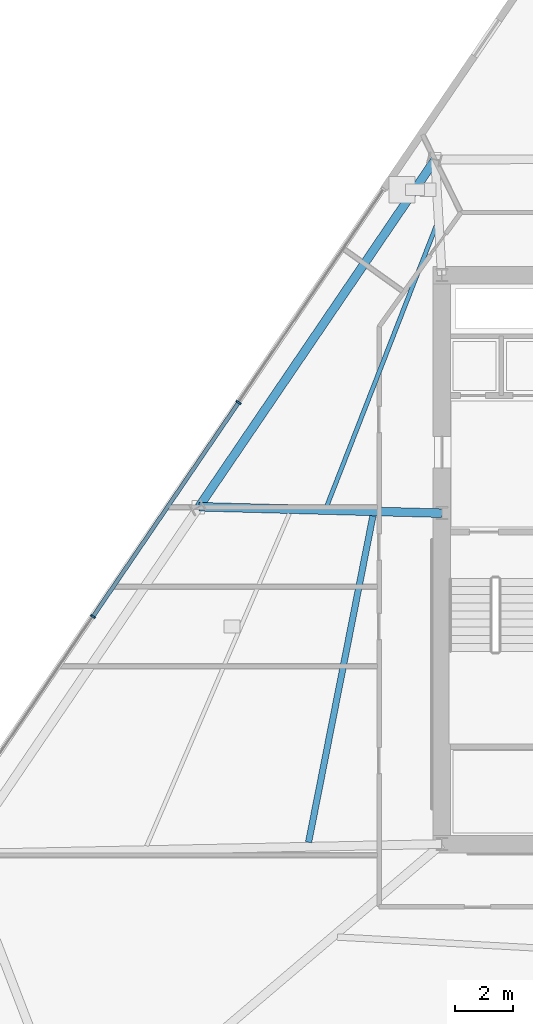
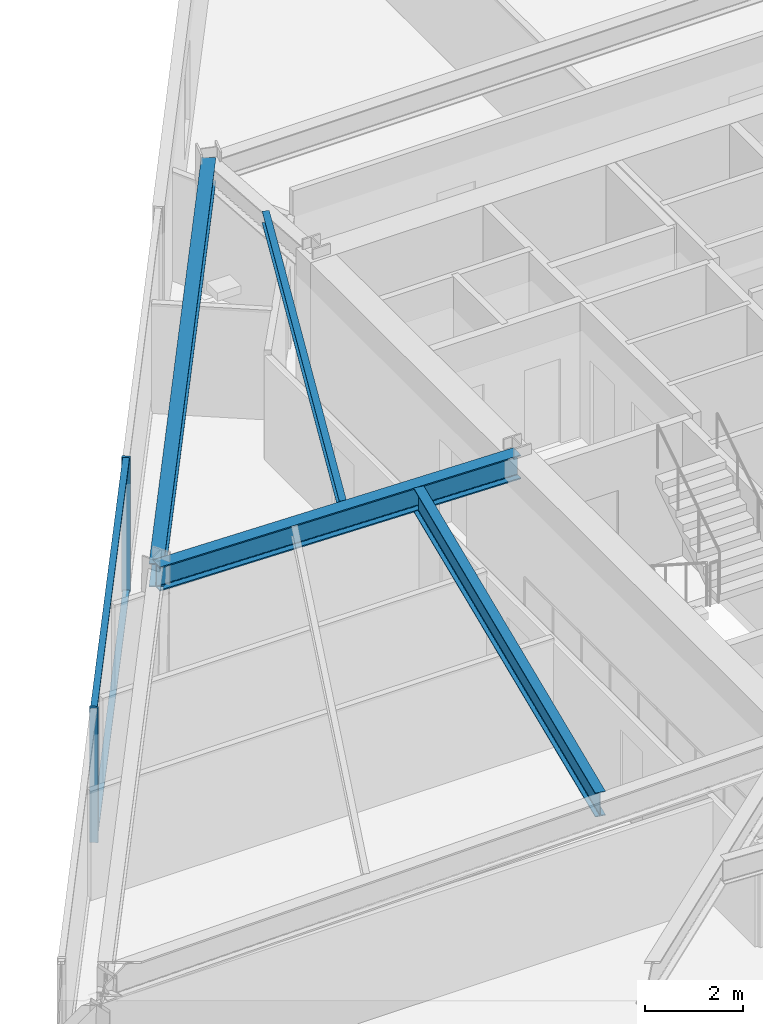
# One storey, part 4 of 16: 4 beams, 4 members, 1 element without a shape of its own.
"""IFC4 building model written with IfcOpenShell, lengths in metres."""

from ifc_helpers import new_model, si_unit, direction, frame, origin, origin_2d, place, context, subcontext, project, spatial, rectangle, i_section, extrude, material, material_profile, profile_set, type_object, element, aggregate, save


model = new_model("IFC4")

# Units and contexts
model_context = context("Model", 3, precision=1e-05, world=origin(), true_north=direction((0.0, 1.0)))
body_context = subcontext(model_context, "Body", "Model", "MODEL_VIEW")
ifc_project = project(units=[si_unit("LENGTHUNIT", "METRE"), si_unit("AREAUNIT", "SQUARE_METRE"), si_unit("VOLUMEUNIT", "CUBIC_METRE"), si_unit("PLANEANGLEUNIT", "RADIAN"), si_unit("MASSUNIT", "GRAM", prefix="KILO")], contexts=[model_context])

# Site, building, storey
site_placement = place(None, origin())
site = spatial("IfcSite", under=ifc_project, at=site_placement, CompositionType="ELEMENT")
building_placement = place(site_placement, origin())
building = spatial("IfcBuilding", under=site, at=building_placement, Name="Savorim Split Tower", CompositionType="ELEMENT")
storey_placement = place(building_placement, frame((0.0, 0.0, 30.0)))
storey = spatial("IfcBuildingStorey", under=building, at=storey_placement, Name="L07", CompositionType="ELEMENT", Elevation=30.0)

# Beams
ifc_material_1 = material(Name="Steel S355", Category="steel")
ifc_material_profile_1 = material_profile(ifc_material_1, i_section(OverallWidth=0.14990234375, OverallDepth=0.300048828125, WebThickness=0.007080078125, FlangeThickness=0.0107421875, FilletRadius=0.014892578125, at=origin_2d()), Name="IPE 300")
ifc_profile_set_1 = profile_set([ifc_material_profile_1], Name="Steel S355")
beam_type_1 = type_object("IfcBeamType", Name="BM-JST-IPE300", PredefinedType="JOIST", material=ifc_profile_set_1)
beam_1_placement = place(storey_placement, frame((-7.868408203125, 11.962890625, 3.199951171875), z_axis=(-0.363634226485, -0.931541812979, 0.0), x_axis=(0.931541812979, -0.363634226485, 0.0)))
element("IfcBeam", 1, at=beam_1_placement, inside=storey, type_object=beam_type_1, Name="L07 Secondary Floor Joist JS-09", PredefinedType="JOIST", context=body_context, shape_type="SweptSolid", body=[
    extrude(i_section(OverallWidth=0.14990234375, OverallDepth=0.300048828125, WebThickness=0.007080078125, FlangeThickness=0.0107421875, FilletRadius=0.014892578125, at=origin_2d()), origin(), (0.0, 0.0, 1.0), 10.420654296875),
])
ifc_material_profile_2 = material_profile(ifc_material_1, i_section(OverallWidth=0.219970703125, OverallDepth=0.60009765625, WebThickness=0.011962890625, FlangeThickness=0.01904296875, FilletRadius=0.02392578125, at=origin_2d()), Name="IPE 600")
ifc_profile_set_2 = profile_set([ifc_material_profile_2], Name="Steel S355")
beam_type_2 = type_object("IfcBeamType", Name="BM-JST-IPE600", PredefinedType="JOIST", material=ifc_profile_set_2)
beam_2_placement = place(storey_placement, frame((-10.073486328125, 1.9052734375, 3.050048828125), z_axis=(-0.193423653245, -0.981115329798, 0.0), x_axis=(0.981115329798, -0.193423653245, 0.0)))
element("IfcBeam", 2, at=beam_2_placement, inside=storey, type_object=beam_type_2, Name="L07 Secondary Floor Joist JS-11", PredefinedType="JOIST", context=body_context, shape_type="SweptSolid", body=[
    extrude(i_section(OverallWidth=0.219970703125, OverallDepth=0.60009765625, WebThickness=0.011962890625, FlangeThickness=0.01904296875, FilletRadius=0.02392578125, at=origin_2d()), origin(), (0.0, 0.0, 1.0), 11.45947265625),
])
ifc_material_profile_3 = material_profile(ifc_material_1, i_section(OverallWidth=0.300048828125, OverallDepth=0.60009765625, WebThickness=0.015380859375, FlangeThickness=0.030029296875, FilletRadius=0.027099609375, at=origin_2d()), Name="HEB 600")
ifc_profile_set_3 = profile_set([ifc_material_profile_3], Name="Steel S355")
beam_type_3 = type_object("IfcBeamType", Name="BM-PRI-HEB600", PredefinedType="BEAM", material=ifc_profile_set_3)
beam_3_placement = place(storey_placement, frame((-16.06640625, 2.22216796875, 3.050048828125), z_axis=(0.999647612643, -0.02654525453, 0.0), x_axis=(0.02654525453, 0.999647612643, 0.0)))
element("IfcBeam", 3, at=beam_3_placement, inside=storey, type_object=beam_type_3, Name="L07 Primary Floor Girder RG-09", PredefinedType="BEAM", context=body_context, shape_type="SweptSolid", body=[
    extrude(i_section(OverallWidth=0.300048828125, OverallDepth=0.60009765625, WebThickness=0.015380859375, FlangeThickness=0.030029296875, FilletRadius=0.027099609375, at=origin_2d()), origin(), (0.0, 0.0, 1.0), 8.369384765625),
])
ifc_material_profile_4 = material_profile(ifc_material_1, i_section(OverallWidth=0.300048828125, OverallDepth=0.590087890625, WebThickness=0.012939453125, FlangeThickness=0.02490234375, FilletRadius=0.027099609375, at=origin_2d()), Name="HEA 600")
ifc_profile_set_4 = profile_set([ifc_material_profile_4], Name="Steel S355")
beam_type_4 = type_object("IfcBeamType", Name="BM-SPN-HEA600", PredefinedType="SPANDREL", material=ifc_profile_set_4)
beam_4_placement = place(storey_placement, frame((-7.92919921875, 14.183349609375, 3.054931640625), z_axis=(-0.562480339897, -0.826810659843, 0.0), x_axis=(0.826810659843, -0.562480339897, 0.0)))
element("IfcBeam", 4, at=beam_4_placement, inside=storey, type_object=beam_type_4, Name="L07 Perimeter Spandrel Beam 8", PredefinedType="SPANDREL", context=body_context, shape_type="SweptSolid", body=[
    extrude(i_section(OverallWidth=0.300048828125, OverallDepth=0.590087890625, WebThickness=0.012939453125, FlangeThickness=0.02490234375, FilletRadius=0.027099609375, at=origin_2d()), origin(), (0.0, 0.0, 1.0), 14.466552734375),
])

# Curtain wall, members
ifc_material_2 = material(Name="Dark Ceramic-Fritted Insulated Glass", Category="glass")
curtain_wall_type = type_object("IfcCurtainWallType", Name="CW-TWR-FRIT-A", PredefinedType="NOTDEFINED", material=ifc_material_2)
curtain_wall_placement = place(storey_placement, origin())
curtain_wall = element("IfcCurtainWall", 5, at=curtain_wall_placement, inside=storey, type_object=curtain_wall_type, Name="L07 Curtain Wall CW-L07-WEST", PredefinedType="NOTDEFINED")
ifc_material_3 = material(Name="Charcoal Anodised Aluminium", Category="aluminium")
ifc_material_profile_5 = material_profile(ifc_material_3, rectangle(XDim=0.179931640625, YDim=0.06494140625, at=origin_2d()), Name="ALU-M 180x65")
ifc_profile_set_5 = profile_set([ifc_material_profile_5], Name="Charcoal Anodised Aluminium")
member_type_1 = type_object("IfcMemberType", Name="CWM-180x65", PredefinedType="MULLION", material=ifc_profile_set_5)
member_1_placement = place(storey_placement, frame((-14.700927734375, 5.81591796875, 0.0), z_axis=(0.0, 0.0, 1.0), x_axis=(0.826820923165, -0.562465253164, 0.0)))
member_1 = element("IfcMember", 6, at=member_1_placement, type_object=member_type_1, Name="CW-02 mullion 2", PredefinedType="MULLION", context=body_context, shape_type="SweptSolid", body=[
    extrude(rectangle(XDim=0.179931640625, YDim=0.06494140625, at=origin_2d()), origin(), (0.0, 0.0, 1.0), 3.35009765625),
])
member_2_placement = place(storey_placement, frame((-19.718017578125, -1.55908203125, 0.0), z_axis=(0.0, 0.0, 1.0), x_axis=(0.826820923165, -0.562465253164, 0.0)))
member_2 = element("IfcMember", 7, at=member_2_placement, type_object=member_type_1, Name="CW-02 mullion 3", PredefinedType="MULLION", context=body_context, shape_type="SweptSolid", body=[
    extrude(rectangle(XDim=0.179931640625, YDim=0.06494140625, at=origin_2d()), origin(), (0.0, 0.0, 1.0), 3.35009765625),
])
ifc_material_profile_6 = material_profile(ifc_material_3, rectangle(XDim=0.139892578125, YDim=0.054931640625, at=origin_2d()), Name="ALU-T 140x55")
ifc_profile_set_6 = profile_set([ifc_material_profile_6], Name="Charcoal Anodised Aluminium")
member_type_2 = type_object("IfcMemberType", Name="CWT-140x55", PredefinedType="USERDEFINED", material=ifc_profile_set_6)
member_3_placement = place(storey_placement, frame((-14.71923828125, 5.7890625, 0.027587890625), z_axis=(-0.562463858464, -0.826821871942, 0.0), x_axis=(0.826821871942, -0.562463858464, 0.0)))
member_3 = element("IfcMember", 8, at=member_3_placement, type_object=member_type_2, Name="CW-02 transom 2.1", ObjectType="TRANSOM", PredefinedType="USERDEFINED", context=body_context, shape_type="SweptSolid", body=[
    extrude(rectangle(XDim=0.139892578125, YDim=0.054931640625, at=origin_2d()), origin(), (0.0, 0.0, 1.0), 8.854736328125),
])
member_4_placement = place(storey_placement, frame((-14.71923828125, 5.7890625, 3.322509765625), z_axis=(-0.562463858464, -0.826821871942, 0.0), x_axis=(0.826821871942, -0.562463858464, 0.0)))
member_4 = element("IfcMember", 9, at=member_4_placement, type_object=member_type_2, Name="CW-02 transom 2.2", ObjectType="TRANSOM", PredefinedType="USERDEFINED", context=body_context, shape_type="SweptSolid", body=[
    extrude(rectangle(XDim=0.139892578125, YDim=0.054931640625, at=origin_2d()), origin(), (0.0, 0.0, 1.0), 8.854736328125),
])
aggregate(curtain_wall, [member_1, member_2, member_3, member_4])

save(model, "model.ifc")
